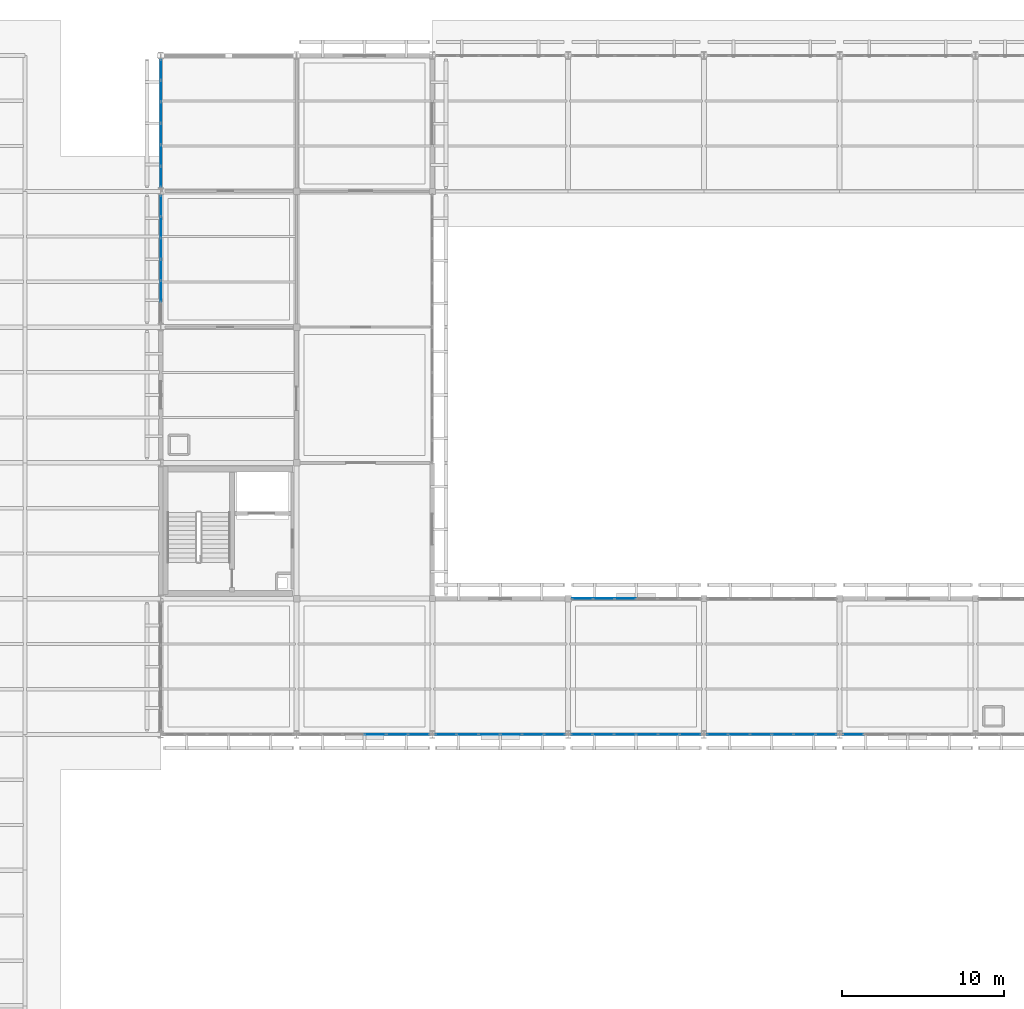
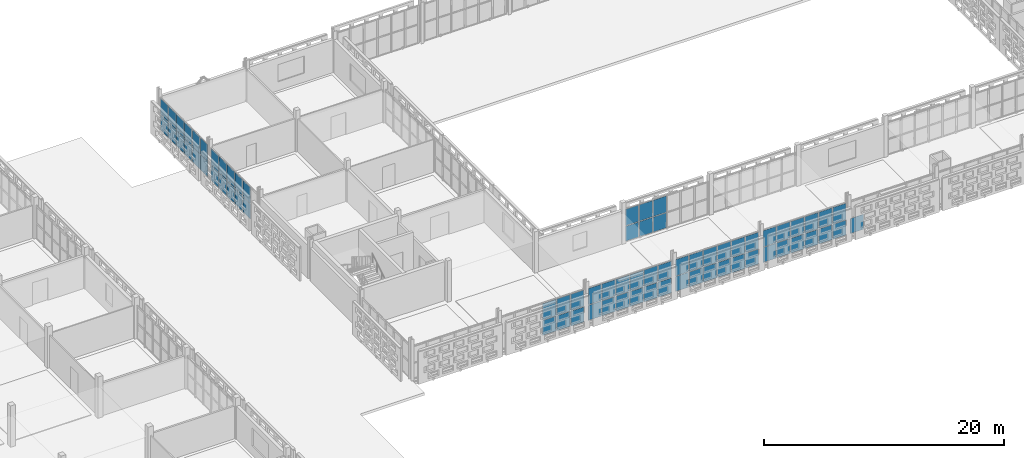
# One storey, part 84 of 166: 71 plates, 8 elements without a shape of their own.
"""IFC4 building model written with IfcOpenShell, lengths in metres."""

from ifc_helpers import new_model, si_unit, direction, frame, origin, origin_2d, place, context, subcontext, project, spatial, rectangle, extrude, material, layer, layer_set, type_object, element, aggregate, save


model = new_model("IFC4")

# Units and contexts
model_context = context("Model", 3, precision=1e-05, world=origin(), true_north=direction((0.0, 1.0)))
body_context = subcontext(model_context, "Body", "Model", "MODEL_VIEW")
ifc_project = project(units=[si_unit("LENGTHUNIT", "METRE"), si_unit("AREAUNIT", "SQUARE_METRE"), si_unit("VOLUMEUNIT", "CUBIC_METRE"), si_unit("PLANEANGLEUNIT", "RADIAN"), si_unit("MASSUNIT", "GRAM", prefix="KILO")], contexts=[model_context])

# Site, building, storey
site_placement = place(None, origin())
site = spatial("IfcSite", under=ifc_project, at=site_placement, CompositionType="ELEMENT")
building_placement = place(site_placement, origin())
building = spatial("IfcBuilding", under=site, at=building_placement, Name="Varnapada Polytechnic", CompositionType="ELEMENT")
storey_placement = place(building_placement, frame((0.0, 0.0, 9.60009765625)))
storey = spatial("IfcBuildingStorey", under=building, at=storey_placement, Name="L02", CompositionType="ELEMENT", Elevation=9.60009765625)

# Curtain wall, plates
ifc_material = material(Name="Double low-E laminated glass", Category="glass")
ifc_layer_1 = layer(ifc_material, 0.159912109375)
ifc_layer_set_1 = layer_set([ifc_layer_1], Name="Double low-E laminated glass")
curtain_wall_type_1 = type_object("IfcCurtainWallType", Name="Curtain Wall CW-02", PredefinedType="NOTDEFINED", material=ifc_layer_set_1)
curtain_wall_1_placement = place(storey_placement, origin())
curtain_wall_1 = element("IfcCurtainWall", 1, at=curtain_wall_1_placement, inside=storey, type_object=curtain_wall_type_1, Name="L02 unitised curtain wall CW-02 (160)", PredefinedType="NOTDEFINED")
ifc_layer_2 = layer(ifc_material, 0.028076171875)
ifc_layer_set_2 = layer_set([ifc_layer_2], Name="Double low-E laminated glass")
plate_type = type_object("IfcPlateType", Name="Curtain Panel PNL-01", PredefinedType="CURTAIN_PANEL", material=ifc_layer_set_2)
plate_1_placement = place(storey_placement, frame((50.39990234375, 111.41259765625, 0.06005859375), z_axis=(0.0, 0.0, 1.0), x_axis=(0.0, 1.0, 0.0)))
plate_1 = element("IfcPlate", 2, at=plate_1_placement, type_object=plate_type, Name="CW-02 panel 2.1", PredefinedType="CURTAIN_PANEL", context=body_context, shape_type="SweptSolid", body=[
    extrude(rectangle(XDim=1.264892578125, YDim=0.028076171875, at=origin_2d()), origin(), (0.0, 0.0, 1.0), 1.522705078125),
])
plate_2_placement = place(storey_placement, frame((50.39990234375, 111.41259765625, 1.642578125), z_axis=(0.0, 0.0, 1.0), x_axis=(0.0, 1.0, 0.0)))
plate_2 = element("IfcPlate", 3, at=plate_2_placement, type_object=plate_type, Name="CW-02 panel 2.2", PredefinedType="CURTAIN_PANEL", context=body_context, shape_type="SweptSolid", body=[
    extrude(rectangle(XDim=1.264892578125, YDim=0.028076171875, at=origin_2d()), origin(), (0.0, 0.0, 1.0), 1.6572265625),
])
plate_3_placement = place(storey_placement, frame((50.39990234375, 112.737548828125, 0.06005859375), z_axis=(0.0, 0.0, 1.0), x_axis=(0.0, 1.0, 0.0)))
plate_3 = element("IfcPlate", 4, at=plate_3_placement, type_object=plate_type, Name="CW-02 panel 3.1", PredefinedType="CURTAIN_PANEL", context=body_context, shape_type="SweptSolid", body=[
    extrude(rectangle(XDim=1.264892578125, YDim=0.028076171875, at=origin_2d()), origin(), (0.0, 0.0, 1.0), 1.522705078125),
])
plate_4_placement = place(storey_placement, frame((50.39990234375, 112.737548828125, 1.642578125), z_axis=(0.0, 0.0, 1.0), x_axis=(0.0, 1.0, 0.0)))
plate_4 = element("IfcPlate", 5, at=plate_4_placement, type_object=plate_type, Name="CW-02 panel 3.2", PredefinedType="CURTAIN_PANEL", context=body_context, shape_type="SweptSolid", body=[
    extrude(rectangle(XDim=1.264892578125, YDim=0.028076171875, at=origin_2d()), origin(), (0.0, 0.0, 1.0), 1.6572265625),
])
plate_5_placement = place(storey_placement, frame((50.39990234375, 114.0625, 0.06005859375), z_axis=(0.0, 0.0, 1.0), x_axis=(0.0, 1.0, 0.0)))
plate_5 = element("IfcPlate", 6, at=plate_5_placement, type_object=plate_type, Name="CW-02 panel 4.1", PredefinedType="CURTAIN_PANEL", context=body_context, shape_type="SweptSolid", body=[
    extrude(rectangle(XDim=1.264892578125, YDim=0.028076171875, at=origin_2d()), origin(), (0.0, 0.0, 1.0), 1.522705078125),
])
plate_6_placement = place(storey_placement, frame((50.39990234375, 114.0625, 1.642578125), z_axis=(0.0, 0.0, 1.0), x_axis=(0.0, 1.0, 0.0)))
plate_6 = element("IfcPlate", 7, at=plate_6_placement, type_object=plate_type, Name="CW-02 panel 4.2", PredefinedType="CURTAIN_PANEL", context=body_context, shape_type="SweptSolid", body=[
    extrude(rectangle(XDim=1.264892578125, YDim=0.028076171875, at=origin_2d()), origin(), (0.0, 0.0, 1.0), 1.6572265625),
])
plate_7_placement = place(storey_placement, frame((50.39990234375, 115.387451171875, 0.06005859375), z_axis=(0.0, 0.0, 1.0), x_axis=(0.0, 1.0, 0.0)))
plate_7 = element("IfcPlate", 8, at=plate_7_placement, type_object=plate_type, Name="CW-02 panel 5.1", PredefinedType="CURTAIN_PANEL", context=body_context, shape_type="SweptSolid", body=[
    extrude(rectangle(XDim=1.264892578125, YDim=0.028076171875, at=origin_2d()), origin(), (0.0, 0.0, 1.0), 1.522705078125),
])
plate_8_placement = place(storey_placement, frame((50.39990234375, 115.387451171875, 1.642578125), z_axis=(0.0, 0.0, 1.0), x_axis=(0.0, 1.0, 0.0)))
plate_8 = element("IfcPlate", 9, at=plate_8_placement, type_object=plate_type, Name="CW-02 panel 5.2", PredefinedType="CURTAIN_PANEL", context=body_context, shape_type="SweptSolid", body=[
    extrude(rectangle(XDim=1.264892578125, YDim=0.028076171875, at=origin_2d()), origin(), (0.0, 0.0, 1.0), 1.6572265625),
])
plate_9_placement = place(storey_placement, frame((50.39990234375, 116.697509765625, 0.06005859375), z_axis=(0.0, 0.0, 1.0), x_axis=(0.0, 1.0, 0.0)))
plate_9 = element("IfcPlate", 10, at=plate_9_placement, type_object=plate_type, Name="CW-02 panel 6.1", PredefinedType="CURTAIN_PANEL", context=body_context, shape_type="SweptSolid", body=[
    extrude(rectangle(XDim=1.235107421875, YDim=0.028076171875, at=origin_2d()), origin(), (0.0, 0.0, 1.0), 1.522705078125),
])
plate_10_placement = place(storey_placement, frame((50.39990234375, 116.697509765625, 1.642578125), z_axis=(0.0, 0.0, 1.0), x_axis=(0.0, 1.0, 0.0)))
plate_10 = element("IfcPlate", 11, at=plate_10_placement, type_object=plate_type, Name="CW-02 panel 6.2", PredefinedType="CURTAIN_PANEL", context=body_context, shape_type="SweptSolid", body=[
    extrude(rectangle(XDim=1.235107421875, YDim=0.028076171875, at=origin_2d()), origin(), (0.0, 0.0, 1.0), 1.6572265625),
])
aggregate(curtain_wall_1, [plate_1, plate_2, plate_3, plate_4, plate_5, plate_6, plate_7, plate_8, plate_9, plate_10])

curtain_wall_2_placement = place(storey_placement, origin())
curtain_wall_2 = element("IfcCurtainWall", 12, at=curtain_wall_2_placement, inside=storey, type_object=curtain_wall_type_1, Name="L02 unitised curtain wall CW-02 (161)", PredefinedType="NOTDEFINED")
plate_11_placement = place(storey_placement, frame((50.39990234375, 118.504638671875, 0.06005859375), z_axis=(0.0, 0.0, 1.0), x_axis=(0.0, 1.0, 0.0)))
plate_11 = element("IfcPlate", 13, at=plate_11_placement, type_object=plate_type, Name="CW-02 panel 1.1", PredefinedType="CURTAIN_PANEL", context=body_context, shape_type="SweptSolid", body=[
    extrude(rectangle(XDim=1.2392578125, YDim=0.028076171875, at=origin_2d()), origin(), (0.0, 0.0, 1.0), 1.522705078125),
])
plate_12_placement = place(storey_placement, frame((50.39990234375, 118.504638671875, 1.642578125), z_axis=(0.0, 0.0, 1.0), x_axis=(0.0, 1.0, 0.0)))
plate_12 = element("IfcPlate", 14, at=plate_12_placement, type_object=plate_type, Name="CW-02 panel 1.2", PredefinedType="CURTAIN_PANEL", context=body_context, shape_type="SweptSolid", body=[
    extrude(rectangle(XDim=1.2392578125, YDim=0.028076171875, at=origin_2d()), origin(), (0.0, 0.0, 1.0), 1.6572265625),
])
plate_13_placement = place(storey_placement, frame((50.39990234375, 119.81884765625, 0.06005859375), z_axis=(0.0, 0.0, 1.0), x_axis=(0.0, 1.0, 0.0)))
plate_13 = element("IfcPlate", 15, at=plate_13_placement, type_object=plate_type, Name="CW-02 panel 2.1", PredefinedType="CURTAIN_PANEL", context=body_context, shape_type="SweptSolid", body=[
    extrude(rectangle(XDim=1.269287109375, YDim=0.028076171875, at=origin_2d()), origin(), (0.0, 0.0, 1.0), 1.522705078125),
])
plate_14_placement = place(storey_placement, frame((50.39990234375, 119.81884765625, 1.642578125), z_axis=(0.0, 0.0, 1.0), x_axis=(0.0, 1.0, 0.0)))
plate_14 = element("IfcPlate", 16, at=plate_14_placement, type_object=plate_type, Name="CW-02 panel 2.2", PredefinedType="CURTAIN_PANEL", context=body_context, shape_type="SweptSolid", body=[
    extrude(rectangle(XDim=1.269287109375, YDim=0.028076171875, at=origin_2d()), origin(), (0.0, 0.0, 1.0), 1.6572265625),
])
plate_15_placement = place(storey_placement, frame((50.39990234375, 121.14794921875, 0.06005859375), z_axis=(0.0, 0.0, 1.0), x_axis=(0.0, 1.0, 0.0)))
plate_15 = element("IfcPlate", 17, at=plate_15_placement, type_object=plate_type, Name="CW-02 panel 3.1", PredefinedType="CURTAIN_PANEL", context=body_context, shape_type="SweptSolid", body=[
    extrude(rectangle(XDim=1.269287109375, YDim=0.028076171875, at=origin_2d()), origin(), (0.0, 0.0, 1.0), 1.522705078125),
])
plate_16_placement = place(storey_placement, frame((50.39990234375, 121.14794921875, 1.642578125), z_axis=(0.0, 0.0, 1.0), x_axis=(0.0, 1.0, 0.0)))
plate_16 = element("IfcPlate", 18, at=plate_16_placement, type_object=plate_type, Name="CW-02 panel 3.2", PredefinedType="CURTAIN_PANEL", context=body_context, shape_type="SweptSolid", body=[
    extrude(rectangle(XDim=1.269287109375, YDim=0.028076171875, at=origin_2d()), origin(), (0.0, 0.0, 1.0), 1.6572265625),
])
plate_17_placement = place(storey_placement, frame((50.39990234375, 122.47705078125, 0.06005859375), z_axis=(0.0, 0.0, 1.0), x_axis=(0.0, 1.0, 0.0)))
plate_17 = element("IfcPlate", 19, at=plate_17_placement, type_object=plate_type, Name="CW-02 panel 4.1", PredefinedType="CURTAIN_PANEL", context=body_context, shape_type="SweptSolid", body=[
    extrude(rectangle(XDim=1.269287109375, YDim=0.028076171875, at=origin_2d()), origin(), (0.0, 0.0, 1.0), 1.522705078125),
])
plate_18_placement = place(storey_placement, frame((50.39990234375, 122.47705078125, 1.642578125), z_axis=(0.0, 0.0, 1.0), x_axis=(0.0, 1.0, 0.0)))
plate_18 = element("IfcPlate", 20, at=plate_18_placement, type_object=plate_type, Name="CW-02 panel 4.2", PredefinedType="CURTAIN_PANEL", context=body_context, shape_type="SweptSolid", body=[
    extrude(rectangle(XDim=1.269287109375, YDim=0.028076171875, at=origin_2d()), origin(), (0.0, 0.0, 1.0), 1.6572265625),
])
plate_19_placement = place(storey_placement, frame((50.39990234375, 123.80615234375, 0.06005859375), z_axis=(0.0, 0.0, 1.0), x_axis=(0.0, 1.0, 0.0)))
plate_19 = element("IfcPlate", 21, at=plate_19_placement, type_object=plate_type, Name="CW-02 panel 5.1", PredefinedType="CURTAIN_PANEL", context=body_context, shape_type="SweptSolid", body=[
    extrude(rectangle(XDim=1.269287109375, YDim=0.028076171875, at=origin_2d()), origin(), (0.0, 0.0, 1.0), 1.522705078125),
])
plate_20_placement = place(storey_placement, frame((50.39990234375, 123.80615234375, 1.642578125), z_axis=(0.0, 0.0, 1.0), x_axis=(0.0, 1.0, 0.0)))
plate_20 = element("IfcPlate", 22, at=plate_20_placement, type_object=plate_type, Name="CW-02 panel 5.2", PredefinedType="CURTAIN_PANEL", context=body_context, shape_type="SweptSolid", body=[
    extrude(rectangle(XDim=1.269287109375, YDim=0.028076171875, at=origin_2d()), origin(), (0.0, 0.0, 1.0), 1.6572265625),
])
plate_21_placement = place(storey_placement, frame((50.39990234375, 125.120361328125, 0.06005859375), z_axis=(0.0, 0.0, 1.0), x_axis=(0.0, 1.0, 0.0)))
plate_21 = element("IfcPlate", 23, at=plate_21_placement, type_object=plate_type, Name="CW-02 panel 6.1", PredefinedType="CURTAIN_PANEL", context=body_context, shape_type="SweptSolid", body=[
    extrude(rectangle(XDim=1.2392578125, YDim=0.028076171875, at=origin_2d()), origin(), (0.0, 0.0, 1.0), 1.522705078125),
])
plate_22_placement = place(storey_placement, frame((50.39990234375, 125.120361328125, 1.642578125), z_axis=(0.0, 0.0, 1.0), x_axis=(0.0, 1.0, 0.0)))
plate_22 = element("IfcPlate", 24, at=plate_22_placement, type_object=plate_type, Name="CW-02 panel 6.2", PredefinedType="CURTAIN_PANEL", context=body_context, shape_type="SweptSolid", body=[
    extrude(rectangle(XDim=1.2392578125, YDim=0.028076171875, at=origin_2d()), origin(), (0.0, 0.0, 1.0), 1.6572265625),
])
aggregate(curtain_wall_2, [plate_11, plate_12, plate_13, plate_14, plate_15, plate_16, plate_17, plate_18, plate_19, plate_20, plate_21, plate_22])

ifc_layer_3 = layer(ifc_material, 0.159912109375)
ifc_layer_set_3 = layer_set([ifc_layer_3], Name="Double low-E laminated glass")
curtain_wall_type_2 = type_object("IfcCurtainWallType", Name="Curtain Wall CW-01", PredefinedType="NOTDEFINED", material=ifc_layer_set_3)
curtain_wall_3_placement = place(storey_placement, origin())
curtain_wall_3 = element("IfcCurtainWall", 25, at=curtain_wall_3_placement, inside=storey, type_object=curtain_wall_type_2, Name="L02 unitised curtain wall CW-01 (162)", PredefinedType="NOTDEFINED")
plate_23_placement = place(storey_placement, frame((66.360107421875, 84.0, 0.06005859375), z_axis=(0.0, 0.0, 1.0), x_axis=(-1.0, 0.0, 0.0)))
plate_23 = element("IfcPlate", 26, at=plate_23_placement, type_object=plate_type, Name="CW-01 panel 1.1", PredefinedType="CURTAIN_PANEL", context=body_context, shape_type="SweptSolid", body=[
    extrude(rectangle(XDim=1.260009765625, YDim=0.028076171875, at=origin_2d()), origin(), (0.0, 0.0, 1.0), 1.522705078125),
])
plate_24_placement = place(storey_placement, frame((66.360107421875, 84.0, 1.642578125), z_axis=(0.0, 0.0, 1.0), x_axis=(-1.0, 0.0, 0.0)))
plate_24 = element("IfcPlate", 27, at=plate_24_placement, type_object=plate_type, Name="CW-01 panel 1.2", PredefinedType="CURTAIN_PANEL", context=body_context, shape_type="SweptSolid", body=[
    extrude(rectangle(XDim=1.260009765625, YDim=0.028076171875, at=origin_2d()), origin(), (0.0, 0.0, 1.0), 1.6572265625),
])
plate_25_placement = place(storey_placement, frame((65.02490234375, 84.0, 0.06005859375), z_axis=(0.0, 0.0, 1.0), x_axis=(-1.0, 0.0, 0.0)))
plate_25 = element("IfcPlate", 28, at=plate_25_placement, type_object=plate_type, Name="CW-01 panel 2.1", PredefinedType="CURTAIN_PANEL", context=body_context, shape_type="SweptSolid", body=[
    extrude(rectangle(XDim=1.2900390625, YDim=0.028076171875, at=origin_2d()), origin(), (0.0, 0.0, 1.0), 1.522705078125),
])
plate_26_placement = place(storey_placement, frame((65.02490234375, 84.0, 1.642578125), z_axis=(0.0, 0.0, 1.0), x_axis=(-1.0, 0.0, 0.0)))
plate_26 = element("IfcPlate", 29, at=plate_26_placement, type_object=plate_type, Name="CW-01 panel 2.2", PredefinedType="CURTAIN_PANEL", context=body_context, shape_type="SweptSolid", body=[
    extrude(rectangle(XDim=1.2900390625, YDim=0.028076171875, at=origin_2d()), origin(), (0.0, 0.0, 1.0), 1.6572265625),
])
plate_27_placement = place(storey_placement, frame((63.675048828125, 84.0, 0.06005859375), z_axis=(0.0, 0.0, 1.0), x_axis=(-1.0, 0.0, 0.0)))
plate_27 = element("IfcPlate", 30, at=plate_27_placement, type_object=plate_type, Name="CW-01 panel 3.1", PredefinedType="CURTAIN_PANEL", context=body_context, shape_type="SweptSolid", body=[
    extrude(rectangle(XDim=1.2900390625, YDim=0.028076171875, at=origin_2d()), origin(), (0.0, 0.0, 1.0), 1.522705078125),
])
plate_28_placement = place(storey_placement, frame((63.675048828125, 84.0, 1.642578125), z_axis=(0.0, 0.0, 1.0), x_axis=(-1.0, 0.0, 0.0)))
plate_28 = element("IfcPlate", 31, at=plate_28_placement, type_object=plate_type, Name="CW-01 panel 3.2", PredefinedType="CURTAIN_PANEL", context=body_context, shape_type="SweptSolid", body=[
    extrude(rectangle(XDim=1.2900390625, YDim=0.028076171875, at=origin_2d()), origin(), (0.0, 0.0, 1.0), 1.6572265625),
])
aggregate(curtain_wall_3, [plate_23, plate_24, plate_25, plate_26, plate_27, plate_28])

curtain_wall_4_placement = place(storey_placement, origin())
curtain_wall_4 = element("IfcCurtainWall", 32, at=curtain_wall_4_placement, inside=storey, type_object=curtain_wall_type_2, Name="L02 unitised curtain wall CW-01 (165)", PredefinedType="NOTDEFINED")
plate_29_placement = place(storey_placement, frame((74.760009765625, 84.0, 0.06005859375), z_axis=(0.0, 0.0, 1.0), x_axis=(-1.0, 0.0, 0.0)))
plate_29 = element("IfcPlate", 33, at=plate_29_placement, type_object=plate_type, Name="CW-01 panel 1.1", PredefinedType="CURTAIN_PANEL", context=body_context, shape_type="SweptSolid", body=[
    extrude(rectangle(XDim=1.260009765625, YDim=0.028076171875, at=origin_2d()), origin(), (0.0, 0.0, 1.0), 1.522705078125),
])
plate_30_placement = place(storey_placement, frame((74.760009765625, 84.0, 1.642578125), z_axis=(0.0, 0.0, 1.0), x_axis=(-1.0, 0.0, 0.0)))
plate_30 = element("IfcPlate", 34, at=plate_30_placement, type_object=plate_type, Name="CW-01 panel 1.2", PredefinedType="CURTAIN_PANEL", context=body_context, shape_type="SweptSolid", body=[
    extrude(rectangle(XDim=1.260009765625, YDim=0.028076171875, at=origin_2d()), origin(), (0.0, 0.0, 1.0), 1.6572265625),
])
plate_31_placement = place(storey_placement, frame((73.425048828125, 84.0, 0.06005859375), z_axis=(0.0, 0.0, 1.0), x_axis=(-1.0, 0.0, 0.0)))
plate_31 = element("IfcPlate", 35, at=plate_31_placement, type_object=plate_type, Name="CW-01 panel 2.1", PredefinedType="CURTAIN_PANEL", context=body_context, shape_type="SweptSolid", body=[
    extrude(rectangle(XDim=1.2900390625, YDim=0.028076171875, at=origin_2d()), origin(), (0.0, 0.0, 1.0), 1.522705078125),
])
plate_32_placement = place(storey_placement, frame((73.425048828125, 84.0, 1.642578125), z_axis=(0.0, 0.0, 1.0), x_axis=(-1.0, 0.0, 0.0)))
plate_32 = element("IfcPlate", 36, at=plate_32_placement, type_object=plate_type, Name="CW-01 panel 2.2", PredefinedType="CURTAIN_PANEL", context=body_context, shape_type="SweptSolid", body=[
    extrude(rectangle(XDim=1.2900390625, YDim=0.028076171875, at=origin_2d()), origin(), (0.0, 0.0, 1.0), 1.6572265625),
])
plate_33_placement = place(storey_placement, frame((72.074951171875, 84.0, 0.06005859375), z_axis=(0.0, 0.0, 1.0), x_axis=(-1.0, 0.0, 0.0)))
plate_33 = element("IfcPlate", 37, at=plate_33_placement, type_object=plate_type, Name="CW-01 panel 3.1", PredefinedType="CURTAIN_PANEL", context=body_context, shape_type="SweptSolid", body=[
    extrude(rectangle(XDim=1.2900390625, YDim=0.028076171875, at=origin_2d()), origin(), (0.0, 0.0, 1.0), 1.522705078125),
])
plate_34_placement = place(storey_placement, frame((72.074951171875, 84.0, 1.642578125), z_axis=(0.0, 0.0, 1.0), x_axis=(-1.0, 0.0, 0.0)))
plate_34 = element("IfcPlate", 38, at=plate_34_placement, type_object=plate_type, Name="CW-01 panel 3.2", PredefinedType="CURTAIN_PANEL", context=body_context, shape_type="SweptSolid", body=[
    extrude(rectangle(XDim=1.2900390625, YDim=0.028076171875, at=origin_2d()), origin(), (0.0, 0.0, 1.0), 1.6572265625),
])
plate_35_placement = place(storey_placement, frame((70.72509765625, 84.0, 0.06005859375), z_axis=(0.0, 0.0, 1.0), x_axis=(-1.0, 0.0, 0.0)))
plate_35 = element("IfcPlate", 39, at=plate_35_placement, type_object=plate_type, Name="CW-01 panel 4.1", PredefinedType="CURTAIN_PANEL", context=body_context, shape_type="SweptSolid", body=[
    extrude(rectangle(XDim=1.2900390625, YDim=0.028076171875, at=origin_2d()), origin(), (0.0, 0.0, 1.0), 1.522705078125),
])
plate_36_placement = place(storey_placement, frame((70.72509765625, 84.0, 1.642578125), z_axis=(0.0, 0.0, 1.0), x_axis=(-1.0, 0.0, 0.0)))
plate_36 = element("IfcPlate", 40, at=plate_36_placement, type_object=plate_type, Name="CW-01 panel 4.2", PredefinedType="CURTAIN_PANEL", context=body_context, shape_type="SweptSolid", body=[
    extrude(rectangle(XDim=1.2900390625, YDim=0.028076171875, at=origin_2d()), origin(), (0.0, 0.0, 1.0), 1.6572265625),
])
plate_37_placement = place(storey_placement, frame((69.375, 84.0, 0.06005859375), z_axis=(0.0, 0.0, 1.0), x_axis=(-1.0, 0.0, 0.0)))
plate_37 = element("IfcPlate", 41, at=plate_37_placement, type_object=plate_type, Name="CW-01 panel 5.1", PredefinedType="CURTAIN_PANEL", context=body_context, shape_type="SweptSolid", body=[
    extrude(rectangle(XDim=1.2900390625, YDim=0.028076171875, at=origin_2d()), origin(), (0.0, 0.0, 1.0), 1.522705078125),
])
plate_38_placement = place(storey_placement, frame((69.375, 84.0, 1.642578125), z_axis=(0.0, 0.0, 1.0), x_axis=(-1.0, 0.0, 0.0)))
plate_38 = element("IfcPlate", 42, at=plate_38_placement, type_object=plate_type, Name="CW-01 panel 5.2", PredefinedType="CURTAIN_PANEL", context=body_context, shape_type="SweptSolid", body=[
    extrude(rectangle(XDim=1.2900390625, YDim=0.028076171875, at=origin_2d()), origin(), (0.0, 0.0, 1.0), 1.6572265625),
])
plate_39_placement = place(storey_placement, frame((68.0400390625, 84.0, 0.06005859375), z_axis=(0.0, 0.0, 1.0), x_axis=(-1.0, 0.0, 0.0)))
plate_39 = element("IfcPlate", 43, at=plate_39_placement, type_object=plate_type, Name="CW-01 panel 6.1", PredefinedType="CURTAIN_PANEL", context=body_context, shape_type="SweptSolid", body=[
    extrude(rectangle(XDim=1.260009765625, YDim=0.028076171875, at=origin_2d()), origin(), (0.0, 0.0, 1.0), 1.522705078125),
])
plate_40_placement = place(storey_placement, frame((68.0400390625, 84.0, 1.642578125), z_axis=(0.0, 0.0, 1.0), x_axis=(-1.0, 0.0, 0.0)))
plate_40 = element("IfcPlate", 44, at=plate_40_placement, type_object=plate_type, Name="CW-01 panel 6.2", PredefinedType="CURTAIN_PANEL", context=body_context, shape_type="SweptSolid", body=[
    extrude(rectangle(XDim=1.260009765625, YDim=0.028076171875, at=origin_2d()), origin(), (0.0, 0.0, 1.0), 1.6572265625),
])
aggregate(curtain_wall_4, [plate_29, plate_30, plate_31, plate_32, plate_33, plate_34, plate_35, plate_36, plate_37, plate_38, plate_39, plate_40])

curtain_wall_5_placement = place(storey_placement, origin())
curtain_wall_5 = element("IfcCurtainWall", 45, at=curtain_wall_5_placement, inside=storey, type_object=curtain_wall_type_2, Name="L02 unitised curtain wall CW-01 (166)", PredefinedType="NOTDEFINED")
plate_41_placement = place(storey_placement, frame((83.159912109375, 84.0, 0.06005859375), z_axis=(0.0, 0.0, 1.0), x_axis=(-1.0, 0.0, 0.0)))
plate_41 = element("IfcPlate", 46, at=plate_41_placement, type_object=plate_type, Name="CW-01 panel 1.1", PredefinedType="CURTAIN_PANEL", context=body_context, shape_type="SweptSolid", body=[
    extrude(rectangle(XDim=1.260009765625, YDim=0.028076171875, at=origin_2d()), origin(), (0.0, 0.0, 1.0), 1.522705078125),
])
plate_42_placement = place(storey_placement, frame((83.159912109375, 84.0, 1.642578125), z_axis=(0.0, 0.0, 1.0), x_axis=(-1.0, 0.0, 0.0)))
plate_42 = element("IfcPlate", 47, at=plate_42_placement, type_object=plate_type, Name="CW-01 panel 1.2", PredefinedType="CURTAIN_PANEL", context=body_context, shape_type="SweptSolid", body=[
    extrude(rectangle(XDim=1.260009765625, YDim=0.028076171875, at=origin_2d()), origin(), (0.0, 0.0, 1.0), 1.6572265625),
])
plate_43_placement = place(storey_placement, frame((81.824951171875, 84.0, 0.06005859375), z_axis=(0.0, 0.0, 1.0), x_axis=(-1.0, 0.0, 0.0)))
plate_43 = element("IfcPlate", 48, at=plate_43_placement, type_object=plate_type, Name="CW-01 panel 2.1", PredefinedType="CURTAIN_PANEL", context=body_context, shape_type="SweptSolid", body=[
    extrude(rectangle(XDim=1.2900390625, YDim=0.028076171875, at=origin_2d()), origin(), (0.0, 0.0, 1.0), 1.522705078125),
])
plate_44_placement = place(storey_placement, frame((81.824951171875, 84.0, 1.642578125), z_axis=(0.0, 0.0, 1.0), x_axis=(-1.0, 0.0, 0.0)))
plate_44 = element("IfcPlate", 49, at=plate_44_placement, type_object=plate_type, Name="CW-01 panel 2.2", PredefinedType="CURTAIN_PANEL", context=body_context, shape_type="SweptSolid", body=[
    extrude(rectangle(XDim=1.2900390625, YDim=0.028076171875, at=origin_2d()), origin(), (0.0, 0.0, 1.0), 1.6572265625),
])
plate_45_placement = place(storey_placement, frame((80.47509765625, 84.0, 0.06005859375), z_axis=(0.0, 0.0, 1.0), x_axis=(-1.0, 0.0, 0.0)))
plate_45 = element("IfcPlate", 50, at=plate_45_placement, type_object=plate_type, Name="CW-01 panel 3.1", PredefinedType="CURTAIN_PANEL", context=body_context, shape_type="SweptSolid", body=[
    extrude(rectangle(XDim=1.2900390625, YDim=0.028076171875, at=origin_2d()), origin(), (0.0, 0.0, 1.0), 1.522705078125),
])
plate_46_placement = place(storey_placement, frame((80.47509765625, 84.0, 1.642578125), z_axis=(0.0, 0.0, 1.0), x_axis=(-1.0, 0.0, 0.0)))
plate_46 = element("IfcPlate", 51, at=plate_46_placement, type_object=plate_type, Name="CW-01 panel 3.2", PredefinedType="CURTAIN_PANEL", context=body_context, shape_type="SweptSolid", body=[
    extrude(rectangle(XDim=1.2900390625, YDim=0.028076171875, at=origin_2d()), origin(), (0.0, 0.0, 1.0), 1.6572265625),
])
plate_47_placement = place(storey_placement, frame((79.125, 84.0, 0.06005859375), z_axis=(0.0, 0.0, 1.0), x_axis=(-1.0, 0.0, 0.0)))
plate_47 = element("IfcPlate", 52, at=plate_47_placement, type_object=plate_type, Name="CW-01 panel 4.1", PredefinedType="CURTAIN_PANEL", context=body_context, shape_type="SweptSolid", body=[
    extrude(rectangle(XDim=1.2900390625, YDim=0.028076171875, at=origin_2d()), origin(), (0.0, 0.0, 1.0), 1.522705078125),
])
plate_48_placement = place(storey_placement, frame((79.125, 84.0, 1.642578125), z_axis=(0.0, 0.0, 1.0), x_axis=(-1.0, 0.0, 0.0)))
plate_48 = element("IfcPlate", 53, at=plate_48_placement, type_object=plate_type, Name="CW-01 panel 4.2", PredefinedType="CURTAIN_PANEL", context=body_context, shape_type="SweptSolid", body=[
    extrude(rectangle(XDim=1.2900390625, YDim=0.028076171875, at=origin_2d()), origin(), (0.0, 0.0, 1.0), 1.6572265625),
])
plate_49_placement = place(storey_placement, frame((77.77490234375, 84.0, 0.06005859375), z_axis=(0.0, 0.0, 1.0), x_axis=(-1.0, 0.0, 0.0)))
plate_49 = element("IfcPlate", 54, at=plate_49_placement, type_object=plate_type, Name="CW-01 panel 5.1", PredefinedType="CURTAIN_PANEL", context=body_context, shape_type="SweptSolid", body=[
    extrude(rectangle(XDim=1.2900390625, YDim=0.028076171875, at=origin_2d()), origin(), (0.0, 0.0, 1.0), 1.522705078125),
])
plate_50_placement = place(storey_placement, frame((77.77490234375, 84.0, 1.642578125), z_axis=(0.0, 0.0, 1.0), x_axis=(-1.0, 0.0, 0.0)))
plate_50 = element("IfcPlate", 55, at=plate_50_placement, type_object=plate_type, Name="CW-01 panel 5.2", PredefinedType="CURTAIN_PANEL", context=body_context, shape_type="SweptSolid", body=[
    extrude(rectangle(XDim=1.2900390625, YDim=0.028076171875, at=origin_2d()), origin(), (0.0, 0.0, 1.0), 1.6572265625),
])
plate_51_placement = place(storey_placement, frame((76.43994140625, 84.0, 0.06005859375), z_axis=(0.0, 0.0, 1.0), x_axis=(-1.0, 0.0, 0.0)))
plate_51 = element("IfcPlate", 56, at=plate_51_placement, type_object=plate_type, Name="CW-01 panel 6.1", PredefinedType="CURTAIN_PANEL", context=body_context, shape_type="SweptSolid", body=[
    extrude(rectangle(XDim=1.260009765625, YDim=0.028076171875, at=origin_2d()), origin(), (0.0, 0.0, 1.0), 1.522705078125),
])
plate_52_placement = place(storey_placement, frame((76.43994140625, 84.0, 1.642578125), z_axis=(0.0, 0.0, 1.0), x_axis=(-1.0, 0.0, 0.0)))
plate_52 = element("IfcPlate", 57, at=plate_52_placement, type_object=plate_type, Name="CW-01 panel 6.2", PredefinedType="CURTAIN_PANEL", context=body_context, shape_type="SweptSolid", body=[
    extrude(rectangle(XDim=1.260009765625, YDim=0.028076171875, at=origin_2d()), origin(), (0.0, 0.0, 1.0), 1.6572265625),
])
aggregate(curtain_wall_5, [plate_41, plate_42, plate_43, plate_44, plate_45, plate_46, plate_47, plate_48, plate_49, plate_50, plate_51, plate_52])

curtain_wall_6_placement = place(storey_placement, origin())
curtain_wall_6 = element("IfcCurtainWall", 58, at=curtain_wall_6_placement, inside=storey, type_object=curtain_wall_type_1, Name="L02 unitised curtain wall CW-02 (167)", PredefinedType="NOTDEFINED")
plate_53_placement = place(storey_placement, frame((76.482421875, 92.39990234375, 0.06005859375), z_axis=(0.0, 0.0, 1.0), x_axis=(1.0, 0.0, 0.0)))
plate_53 = element("IfcPlate", 59, at=plate_53_placement, type_object=plate_type, Name="CW-02 panel 1.1", PredefinedType="CURTAIN_PANEL", context=body_context, shape_type="SweptSolid", body=[
    extrude(rectangle(XDim=1.2451171875, YDim=0.028076171875, at=origin_2d()), origin(), (0.0, 0.0, 1.0), 1.522705078125),
])
plate_54_placement = place(storey_placement, frame((76.482421875, 92.39990234375, 1.642578125), z_axis=(0.0, 0.0, 1.0), x_axis=(1.0, 0.0, 0.0)))
plate_54 = element("IfcPlate", 60, at=plate_54_placement, type_object=plate_type, Name="CW-02 panel 1.2", PredefinedType="CURTAIN_PANEL", context=body_context, shape_type="SweptSolid", body=[
    extrude(rectangle(XDim=1.2451171875, YDim=0.028076171875, at=origin_2d()), origin(), (0.0, 0.0, 1.0), 1.6572265625),
])
plate_55_placement = place(storey_placement, frame((77.802490234375, 92.39990234375, 0.06005859375), z_axis=(0.0, 0.0, 1.0), x_axis=(1.0, 0.0, 0.0)))
plate_55 = element("IfcPlate", 61, at=plate_55_placement, type_object=plate_type, Name="CW-02 panel 2.1", PredefinedType="CURTAIN_PANEL", context=body_context, shape_type="SweptSolid", body=[
    extrude(rectangle(XDim=1.27490234375, YDim=0.028076171875, at=origin_2d()), origin(), (0.0, 0.0, 1.0), 1.522705078125),
])
plate_56_placement = place(storey_placement, frame((77.802490234375, 92.39990234375, 1.642578125), z_axis=(0.0, 0.0, 1.0), x_axis=(1.0, 0.0, 0.0)))
plate_56 = element("IfcPlate", 62, at=plate_56_placement, type_object=plate_type, Name="CW-02 panel 2.2", PredefinedType="CURTAIN_PANEL", context=body_context, shape_type="SweptSolid", body=[
    extrude(rectangle(XDim=1.27490234375, YDim=0.028076171875, at=origin_2d()), origin(), (0.0, 0.0, 1.0), 1.6572265625),
])
plate_57_placement = place(storey_placement, frame((79.137451171875, 92.39990234375, 0.06005859375), z_axis=(0.0, 0.0, 1.0), x_axis=(1.0, 0.0, 0.0)))
plate_57 = element("IfcPlate", 63, at=plate_57_placement, type_object=plate_type, Name="CW-02 panel 3.1", PredefinedType="CURTAIN_PANEL", context=body_context, shape_type="SweptSolid", body=[
    extrude(rectangle(XDim=1.27490234375, YDim=0.028076171875, at=origin_2d()), origin(), (0.0, 0.0, 1.0), 1.522705078125),
])
plate_58_placement = place(storey_placement, frame((79.137451171875, 92.39990234375, 1.642578125), z_axis=(0.0, 0.0, 1.0), x_axis=(1.0, 0.0, 0.0)))
plate_58 = element("IfcPlate", 64, at=plate_58_placement, type_object=plate_type, Name="CW-02 panel 3.2", PredefinedType="CURTAIN_PANEL", context=body_context, shape_type="SweptSolid", body=[
    extrude(rectangle(XDim=1.27490234375, YDim=0.028076171875, at=origin_2d()), origin(), (0.0, 0.0, 1.0), 1.6572265625),
])
aggregate(curtain_wall_6, [plate_53, plate_54, plate_55, plate_56, plate_57, plate_58])

curtain_wall_7_placement = place(storey_placement, origin())
curtain_wall_7 = element("IfcCurtainWall", 65, at=curtain_wall_7_placement, inside=storey, type_object=curtain_wall_type_2, Name="L02 unitised curtain wall CW-01 (168)", PredefinedType="NOTDEFINED")
plate_59_placement = place(storey_placement, frame((91.56005859375, 84.0, 0.06005859375), z_axis=(0.0, 0.0, 1.0), x_axis=(-1.0, 0.0, 0.0)))
plate_59 = element("IfcPlate", 66, at=plate_59_placement, type_object=plate_type, Name="CW-01 panel 1.1", PredefinedType="CURTAIN_PANEL", context=body_context, shape_type="SweptSolid", body=[
    extrude(rectangle(XDim=1.260009765625, YDim=0.028076171875, at=origin_2d()), origin(), (0.0, 0.0, 1.0), 1.522705078125),
])
plate_60_placement = place(storey_placement, frame((91.56005859375, 84.0, 1.642578125), z_axis=(0.0, 0.0, 1.0), x_axis=(-1.0, 0.0, 0.0)))
plate_60 = element("IfcPlate", 67, at=plate_60_placement, type_object=plate_type, Name="CW-01 panel 1.2", PredefinedType="CURTAIN_PANEL", context=body_context, shape_type="SweptSolid", body=[
    extrude(rectangle(XDim=1.260009765625, YDim=0.028076171875, at=origin_2d()), origin(), (0.0, 0.0, 1.0), 1.6572265625),
])
plate_61_placement = place(storey_placement, frame((90.22509765625, 84.0, 0.06005859375), z_axis=(0.0, 0.0, 1.0), x_axis=(-1.0, 0.0, 0.0)))
plate_61 = element("IfcPlate", 68, at=plate_61_placement, type_object=plate_type, Name="CW-01 panel 2.1", PredefinedType="CURTAIN_PANEL", context=body_context, shape_type="SweptSolid", body=[
    extrude(rectangle(XDim=1.2900390625, YDim=0.028076171875, at=origin_2d()), origin(), (0.0, 0.0, 1.0), 1.522705078125),
])
plate_62_placement = place(storey_placement, frame((90.22509765625, 84.0, 1.642578125), z_axis=(0.0, 0.0, 1.0), x_axis=(-1.0, 0.0, 0.0)))
plate_62 = element("IfcPlate", 69, at=plate_62_placement, type_object=plate_type, Name="CW-01 panel 2.2", PredefinedType="CURTAIN_PANEL", context=body_context, shape_type="SweptSolid", body=[
    extrude(rectangle(XDim=1.2900390625, YDim=0.028076171875, at=origin_2d()), origin(), (0.0, 0.0, 1.0), 1.6572265625),
])
plate_63_placement = place(storey_placement, frame((88.875, 84.0, 0.06005859375), z_axis=(0.0, 0.0, 1.0), x_axis=(-1.0, 0.0, 0.0)))
plate_63 = element("IfcPlate", 70, at=plate_63_placement, type_object=plate_type, Name="CW-01 panel 3.1", PredefinedType="CURTAIN_PANEL", context=body_context, shape_type="SweptSolid", body=[
    extrude(rectangle(XDim=1.2900390625, YDim=0.028076171875, at=origin_2d()), origin(), (0.0, 0.0, 1.0), 1.522705078125),
])
plate_64_placement = place(storey_placement, frame((88.875, 84.0, 1.642578125), z_axis=(0.0, 0.0, 1.0), x_axis=(-1.0, 0.0, 0.0)))
plate_64 = element("IfcPlate", 71, at=plate_64_placement, type_object=plate_type, Name="CW-01 panel 3.2", PredefinedType="CURTAIN_PANEL", context=body_context, shape_type="SweptSolid", body=[
    extrude(rectangle(XDim=1.2900390625, YDim=0.028076171875, at=origin_2d()), origin(), (0.0, 0.0, 1.0), 1.6572265625),
])
plate_65_placement = place(storey_placement, frame((87.52490234375, 84.0, 0.06005859375), z_axis=(0.0, 0.0, 1.0), x_axis=(-1.0, 0.0, 0.0)))
plate_65 = element("IfcPlate", 72, at=plate_65_placement, type_object=plate_type, Name="CW-01 panel 4.1", PredefinedType="CURTAIN_PANEL", context=body_context, shape_type="SweptSolid", body=[
    extrude(rectangle(XDim=1.2900390625, YDim=0.028076171875, at=origin_2d()), origin(), (0.0, 0.0, 1.0), 1.522705078125),
])
plate_66_placement = place(storey_placement, frame((87.52490234375, 84.0, 1.642578125), z_axis=(0.0, 0.0, 1.0), x_axis=(-1.0, 0.0, 0.0)))
plate_66 = element("IfcPlate", 73, at=plate_66_placement, type_object=plate_type, Name="CW-01 panel 4.2", PredefinedType="CURTAIN_PANEL", context=body_context, shape_type="SweptSolid", body=[
    extrude(rectangle(XDim=1.2900390625, YDim=0.028076171875, at=origin_2d()), origin(), (0.0, 0.0, 1.0), 1.6572265625),
])
plate_67_placement = place(storey_placement, frame((86.175048828125, 84.0, 0.06005859375), z_axis=(0.0, 0.0, 1.0), x_axis=(-1.0, 0.0, 0.0)))
plate_67 = element("IfcPlate", 74, at=plate_67_placement, type_object=plate_type, Name="CW-01 panel 5.1", PredefinedType="CURTAIN_PANEL", context=body_context, shape_type="SweptSolid", body=[
    extrude(rectangle(XDim=1.2900390625, YDim=0.028076171875, at=origin_2d()), origin(), (0.0, 0.0, 1.0), 1.522705078125),
])
plate_68_placement = place(storey_placement, frame((86.175048828125, 84.0, 1.642578125), z_axis=(0.0, 0.0, 1.0), x_axis=(-1.0, 0.0, 0.0)))
plate_68 = element("IfcPlate", 75, at=plate_68_placement, type_object=plate_type, Name="CW-01 panel 5.2", PredefinedType="CURTAIN_PANEL", context=body_context, shape_type="SweptSolid", body=[
    extrude(rectangle(XDim=1.2900390625, YDim=0.028076171875, at=origin_2d()), origin(), (0.0, 0.0, 1.0), 1.6572265625),
])
plate_69_placement = place(storey_placement, frame((84.840087890625, 84.0, 0.06005859375), z_axis=(0.0, 0.0, 1.0), x_axis=(-1.0, 0.0, 0.0)))
plate_69 = element("IfcPlate", 76, at=plate_69_placement, type_object=plate_type, Name="CW-01 panel 6.1", PredefinedType="CURTAIN_PANEL", context=body_context, shape_type="SweptSolid", body=[
    extrude(rectangle(XDim=1.260009765625, YDim=0.028076171875, at=origin_2d()), origin(), (0.0, 0.0, 1.0), 1.522705078125),
])
plate_70_placement = place(storey_placement, frame((84.840087890625, 84.0, 1.642578125), z_axis=(0.0, 0.0, 1.0), x_axis=(-1.0, 0.0, 0.0)))
plate_70 = element("IfcPlate", 77, at=plate_70_placement, type_object=plate_type, Name="CW-01 panel 6.2", PredefinedType="CURTAIN_PANEL", context=body_context, shape_type="SweptSolid", body=[
    extrude(rectangle(XDim=1.260009765625, YDim=0.028076171875, at=origin_2d()), origin(), (0.0, 0.0, 1.0), 1.6572265625),
])
aggregate(curtain_wall_7, [plate_59, plate_60, plate_61, plate_62, plate_63, plate_64, plate_65, plate_66, plate_67, plate_68, plate_69, plate_70])

# Curtain wall, plate
curtain_wall_8_placement = place(storey_placement, origin())
curtain_wall_8 = element("IfcCurtainWall", 78, at=curtain_wall_8_placement, inside=storey, type_object=curtain_wall_type_2, Name="L02 unitised curtain wall CW-01 (170)", PredefinedType="NOTDEFINED")
plate_71_placement = place(storey_placement, frame((93.239990234375, 84.0, 0.06005859375), z_axis=(0.0, 0.0, 1.0), x_axis=(-1.0, 0.0, 0.0)))
plate_71 = element("IfcPlate", 79, at=plate_71_placement, type_object=plate_type, Name="CW-01 panel 6.1", PredefinedType="CURTAIN_PANEL", context=body_context, shape_type="SweptSolid", body=[
    extrude(rectangle(XDim=1.260009765625, YDim=0.028076171875, at=origin_2d()), origin(), (0.0, 0.0, 1.0), 1.522705078125),
])
aggregate(curtain_wall_8, [plate_71])

save(model, "model.ifc")
